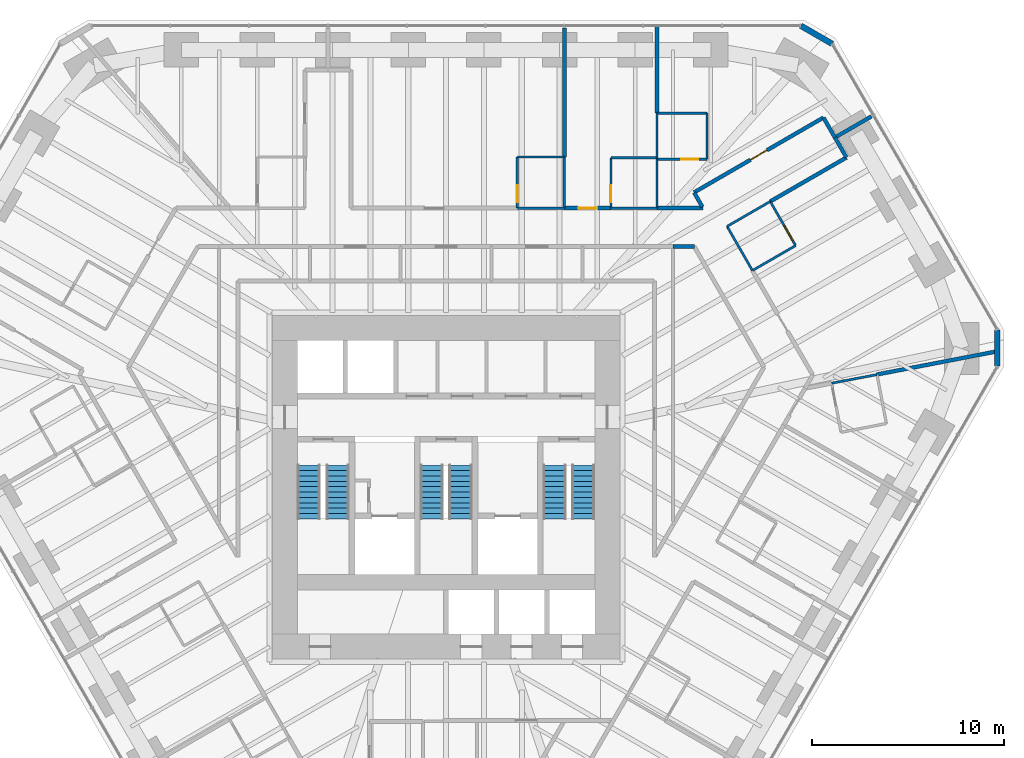
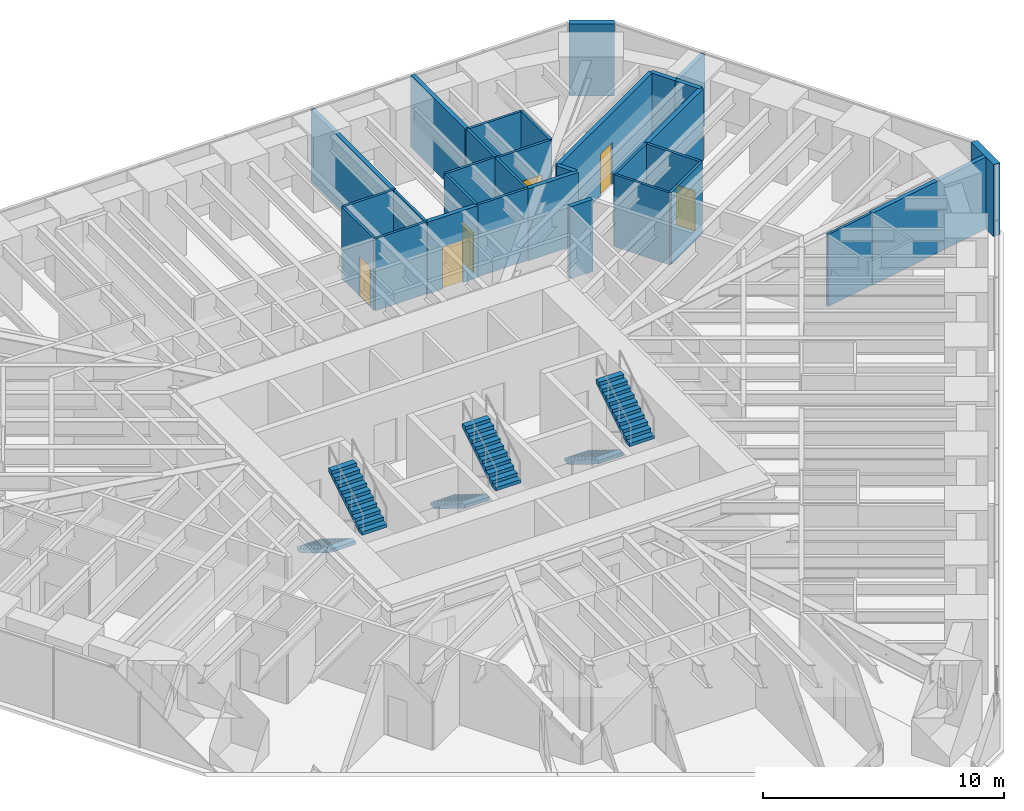
# One storey, part 15 of 16: 31 walls, 6 doors, 6 stair flights, 6 openings, 3 elements without a shape of their own.
"""IFC4 building model written with IfcOpenShell, lengths in metres."""

from ifc_helpers import new_model, si_unit, direction, frame, frame_2d, origin, place, context, subcontext, project, spatial, polyline, rectangle, outline, extrude, material, layer, layer_set, type_object, element, fill, aggregate, save


model = new_model("IFC4")

# Units and contexts
model_context = context("Model", 3, precision=1e-05, world=origin(), true_north=direction((0.0, 1.0)))
body_context = subcontext(model_context, "Body", "Model", "MODEL_VIEW")
ifc_project = project(units=[si_unit("LENGTHUNIT", "METRE"), si_unit("AREAUNIT", "SQUARE_METRE"), si_unit("VOLUMEUNIT", "CUBIC_METRE"), si_unit("PLANEANGLEUNIT", "RADIAN"), si_unit("MASSUNIT", "GRAM", prefix="KILO")], contexts=[model_context])

# Site, building, storey
site_placement = place(None, origin())
site = spatial("IfcSite", under=ifc_project, at=site_placement, CompositionType="ELEMENT")
building_placement = place(site_placement, origin())
building = spatial("IfcBuilding", under=site, at=building_placement, Name="Sandreach Pilgrim Tower", CompositionType="ELEMENT")
storey_placement = place(building_placement, frame((0.0, 0.0, 115.800048828125)))
storey = spatial("IfcBuildingStorey", under=building, at=storey_placement, Name="L28", CompositionType="ELEMENT", Elevation=115.800048828125)

# Wall, opening, door
ifc_material_1 = material(Name="Moisture-resistant gypsum board on steel studs", Category="steel")
ifc_layer_1 = layer(ifc_material_1, 0.1201171875)
ifc_layer_set_1 = layer_set([ifc_layer_1], Name="Bathroom partition 120")
wall_type_1 = type_object("IfcWallType", Name="Bathroom partition 120", PredefinedType="PARTITIONING", material=ifc_layer_set_1)
wall_1_placement = place(storey_placement, frame((3.7099609375, 15.659912109375, 0.0), z_axis=(0.0, 0.0, 1.0), x_axis=(0.0, -1.0, 0.0)))
wall_1 = element("IfcWall", 1, at=wall_1_placement, inside=storey, type_object=wall_type_1, Name="Bathroom partition L28-090", PredefinedType="PARTITIONING", context=body_context, shape_type="SweptSolid", body=[
    extrude(rectangle(XDim=2.669921875, YDim=0.1201171875, at=frame_2d((1.3349609375, 0.0))), origin(), (0.0, 0.0, 1.0), 3.639892578125),
])
opening_1_placement = place(wall_1_placement, frame((1.469970703125, 0.0, 0.0)))
opening_1 = element("IfcOpeningElement", 2, at=opening_1_placement, cuts=wall_1, Name="Opening D09-02B", PredefinedType="OPENING", context=body_context, shape_type="SweptSolid", body=[
    extrude(rectangle(XDim=0.89990234375, YDim=2.030029296875, at=frame_2d((0.449951171875, 1.01513671875))), frame((0.0, 0.06005859375, 0.0), z_axis=(0.0, -1.0, 0.0), x_axis=(1.0, 0.0, 0.0)), (0.0, 0.0, 1.0), 0.1201171875),
])
ifc_material_2 = material(Name="Timber door, steel frame", Category="steel")
door_type_1 = type_object("IfcDoorType", Name="Bathroom door", OperationType="SINGLE_SWING_LEFT", PredefinedType="DOOR", material=ifc_material_2)
door_1_placement = place(opening_1_placement, origin())
door_1 = element("IfcDoor", 3, at=door_1_placement, inside=storey, type_object=door_type_1, Name="Door 2802B", OperationType="SINGLE_SWING_RIGHT", OverallHeight=2.030029296875, OverallWidth=0.89990234375, PredefinedType="DOOR", context=body_context, shape_type="SweptSolid", body=[
    extrude(rectangle(XDim=0.89990234375, YDim=2.030029296875, at=frame_2d((0.449951171875, 1.01513671875))), frame((0.0, 0.02490234375, 0.0), z_axis=(0.0, -1.0, 0.0), x_axis=(1.0, 0.0, 0.0)), (0.0, 0.0, 1.0), 0.050048828125),
])
fill(opening_1, door_1)

# Walls
for number, where, z_axis, x_axis, name in (
    (4, (6.159912109375, 12.989990234375, 0.0), (0.0, 0.0, 1.0), (-1.0, 0.0, 0.0), "Bathroom partition L28-098"),
    (5, (6.159912109375, 15.659912109375, 0.0), (0.0, 0.0, 1.0), (-1.0, 0.0, 0.0), "Bathroom partition L28-099"),
):
    element("IfcWall", number, at=place(storey_placement, frame(where, z_axis=z_axis, x_axis=x_axis)), inside=storey, type_object=wall_type_1, Name=name, PredefinedType="PARTITIONING", context=body_context, shape_type="SweptSolid", body=[
        extrude(rectangle(XDim=2.449951171875, YDim=0.1201171875, at=frame_2d((1.22509765625, 0.0))), origin(), (0.0, 0.0, 1.0), 3.639892578125),
    ])
wall_2_placement = place(storey_placement, frame((6.159912109375, 15.659912109375, 0.0), z_axis=(0.0, 0.0, 1.0), x_axis=(0.0, -1.0, 0.0)))
element("IfcWall", 6, at=wall_2_placement, inside=storey, type_object=wall_type_1, Name="Bathroom partition L28-100", PredefinedType="PARTITIONING", context=body_context, shape_type="SweptSolid", body=[
    extrude(rectangle(XDim=2.669921875, YDim=0.1201171875, at=frame_2d((1.3349609375, 0.0))), origin(), (0.0, 0.0, 1.0), 3.639892578125),
])

# Wall, opening, door
wall_3_placement = place(storey_placement, frame((8.590087890625, 15.610107421875, 0.0), z_axis=(0.0, 0.0, 1.0), x_axis=(0.0, -1.0, 0.0)))
wall_3 = element("IfcWall", 7, at=wall_3_placement, inside=storey, type_object=wall_type_1, Name="Bathroom partition L28-109", PredefinedType="PARTITIONING", context=body_context, shape_type="SweptSolid", body=[
    extrude(rectangle(XDim=2.6201171875, YDim=0.1201171875, at=frame_2d((1.31005859375, 0.0))), origin(), (0.0, 0.0, 1.0), 3.639892578125),
])
opening_2_placement = place(wall_3_placement, frame((1.419921875, 0.0, 0.0)))
opening_2 = element("IfcOpeningElement", 8, at=opening_2_placement, cuts=wall_3, Name="Opening D09-03B", PredefinedType="OPENING", context=body_context, shape_type="SweptSolid", body=[
    extrude(rectangle(XDim=0.89990234375, YDim=2.030029296875, at=frame_2d((0.449951171875, 1.01513671875))), frame((0.0, 0.06005859375, 0.0), z_axis=(0.0, -1.0, 0.0), x_axis=(1.0, 0.0, 0.0)), (0.0, 0.0, 1.0), 0.1201171875),
])
door_2_placement = place(opening_2_placement, origin())
door_2 = element("IfcDoor", 9, at=door_2_placement, inside=storey, type_object=door_type_1, Name="Door 2803B", OperationType="SINGLE_SWING_RIGHT", OverallHeight=2.030029296875, OverallWidth=0.89990234375, PredefinedType="DOOR", context=body_context, shape_type="SweptSolid", body=[
    extrude(rectangle(XDim=0.89990234375, YDim=2.030029296875, at=frame_2d((0.449951171875, 1.01513671875))), frame((0.0, 0.02490234375, 0.0), z_axis=(0.0, -1.0, 0.0), x_axis=(1.0, 0.0, 0.0)), (0.0, 0.0, 1.0), 0.050048828125),
])
fill(opening_2, door_2)

# Walls
wall_4_placement = place(storey_placement, frame((10.989990234375, 12.989990234375, 0.0), z_axis=(0.0, 0.0, 1.0), x_axis=(-1.0, 0.0, 0.0)))
element("IfcWall", 10, at=wall_4_placement, inside=storey, type_object=wall_type_1, Name="Bathroom partition L28-116", PredefinedType="PARTITIONING", context=body_context, shape_type="SweptSolid", body=[
    extrude(rectangle(XDim=2.39990234375, YDim=0.1201171875, at=frame_2d((1.199951171875, 0.0))), origin(), (0.0, 0.0, 1.0), 3.639892578125),
])
wall_5_placement = place(storey_placement, frame((10.989990234375, 15.5400390625, 0.0), z_axis=(0.0, 0.0, 1.0), x_axis=(0.0, -1.0, 0.0)))
element("IfcWall", 11, at=wall_5_placement, inside=storey, type_object=wall_type_1, Name="Bathroom partition L28-117", PredefinedType="PARTITIONING", context=body_context, shape_type="SweptSolid", body=[
    extrude(rectangle(XDim=2.550048828125, YDim=0.1201171875, at=frame_2d((1.27490234375, 0.0))), origin(), (0.0, 0.0, 1.0), 3.639892578125),
])

# Wall, opening, door
wall_6_placement = place(storey_placement, frame((10.989990234375, 15.5400390625, 0.0), z_axis=(0.0, 0.0, 1.0), x_axis=(1.0, 0.0, 0.0)))
wall_6 = element("IfcWall", 12, at=wall_6_placement, inside=storey, type_object=wall_type_1, Name="Bathroom partition L28-118", PredefinedType="PARTITIONING", context=body_context, shape_type="SweptSolid", body=[
    extrude(rectangle(XDim=2.60009765625, YDim=0.1201171875, at=frame_2d((1.300048828125, 0.0))), origin(), (0.0, 0.0, 1.0), 3.639892578125),
])
opening_3_placement = place(wall_6_placement, frame((1.25, 0.0, 0.0)))
opening_3 = element("IfcOpeningElement", 13, at=opening_3_placement, cuts=wall_6, Name="Opening D09-04B", PredefinedType="OPENING", context=body_context, shape_type="SweptSolid", body=[
    extrude(rectangle(XDim=0.89990234375, YDim=2.030029296875, at=frame_2d((0.449951171875, 1.01513671875))), frame((0.0, 0.06005859375, 0.0), z_axis=(0.0, -1.0, 0.0), x_axis=(1.0, 0.0, 0.0)), (0.0, 0.0, 1.0), 0.1201171875),
])
door_3_placement = place(opening_3_placement, origin())
door_3 = element("IfcDoor", 14, at=door_3_placement, inside=storey, type_object=door_type_1, Name="Door 2804B", OperationType="SINGLE_SWING_RIGHT", OverallHeight=2.030029296875, OverallWidth=0.89990234375, PredefinedType="DOOR", context=body_context, shape_type="SweptSolid", body=[
    extrude(rectangle(XDim=0.89990234375, YDim=2.030029296875, at=frame_2d((0.449951171875, 1.01513671875))), frame((0.0, 0.02490234375, 0.0), z_axis=(0.0, -1.0, 0.0), x_axis=(1.0, 0.0, 0.0)), (0.0, 0.0, 1.0), 0.050048828125),
])
fill(opening_3, door_3)

# Walls
wall_7_placement = place(storey_placement, frame((10.989990234375, 15.610107421875, 0.0), z_axis=(0.0, 0.0, 1.0), x_axis=(-1.0, 0.0, 0.0)))
element("IfcWall", 15, at=wall_7_placement, inside=storey, type_object=wall_type_1, Name="Bathroom partition L28-119", PredefinedType="PARTITIONING", context=body_context, shape_type="SweptSolid", body=[
    extrude(rectangle(XDim=2.39990234375, YDim=0.1201171875, at=frame_2d((1.199951171875, 0.0))), origin(), (0.0, 0.0, 1.0), 3.639892578125),
])
wall_8_placement = place(storey_placement, frame((10.989990234375, 17.93994140625, 0.0), z_axis=(0.0, 0.0, 1.0), x_axis=(0.0, -1.0, 0.0)))
element("IfcWall", 16, at=wall_8_placement, inside=storey, type_object=wall_type_1, Name="Bathroom partition L28-120", PredefinedType="PARTITIONING", context=body_context, shape_type="SweptSolid", body=[
    extrude(rectangle(XDim=2.329833984375, YDim=0.1201171875, at=frame_2d((1.1650390625, 0.0))), origin(), (0.0, 0.0, 1.0), 3.639892578125),
])
wall_9_placement = place(storey_placement, frame((13.590087890625, 15.5400390625, 0.0), z_axis=(0.0, 0.0, 1.0), x_axis=(0.0, 1.0, 0.0)))
element("IfcWall", 17, at=wall_9_placement, inside=storey, type_object=wall_type_1, Name="Bathroom partition L28-132", PredefinedType="PARTITIONING", context=body_context, shape_type="SweptSolid", body=[
    extrude(rectangle(XDim=2.39990234375, YDim=0.1201171875, at=frame_2d((1.199951171875, 0.0))), origin(), (0.0, 0.0, 1.0), 3.639892578125),
])
wall_10_placement = place(storey_placement, frame((13.590087890625, 17.93994140625, 0.0), z_axis=(0.0, 0.0, 1.0), x_axis=(-1.0, 0.0, 0.0)))
element("IfcWall", 18, at=wall_10_placement, inside=storey, type_object=wall_type_1, Name="Bathroom partition L28-133", PredefinedType="PARTITIONING", context=body_context, shape_type="SweptSolid", body=[
    extrude(rectangle(XDim=2.60009765625, YDim=0.1201171875, at=frame_2d((1.300048828125, 0.0))), origin(), (0.0, 0.0, 1.0), 3.639892578125),
])
wall_11_placement = place(storey_placement, frame((14.639892578125, 12.0400390625, 0.0), z_axis=(0.0, 0.0, 1.0), x_axis=(0.497773911185, -0.867306827682, 0.0)))
element("IfcWall", 19, at=wall_11_placement, inside=storey, type_object=wall_type_1, Name="Bathroom partition L28-136", PredefinedType="PARTITIONING", context=body_context, shape_type="SweptSolid", body=[
    extrude(rectangle(XDim=2.65185546875, YDim=0.1201171875, at=frame_2d((1.325927734375, 0.0))), origin(), (0.0, 0.0, 1.0), 3.639892578125),
])
wall_12_placement = place(storey_placement, frame((14.639892578125, 12.0400390625, 0.0), z_axis=(0.0, 0.0, 1.0), x_axis=(0.865880446098, 0.50025099007, 0.0)))
element("IfcWall", 20, at=wall_12_placement, inside=storey, type_object=wall_type_1, Name="Bathroom partition L28-137", PredefinedType="PARTITIONING", context=body_context, shape_type="SweptSolid", body=[
    extrude(rectangle(XDim=2.598876953125, YDim=0.1201171875, at=frame_2d((1.29931640625, 0.0))), origin(), (0.0, 0.0, 1.0), 3.639892578125),
])
wall_13_placement = place(storey_placement, frame((15.9599609375, 9.739990234375, 0.0), z_axis=(0.0, 0.0, 1.0), x_axis=(0.865856933682, 0.500291685314, 0.0)))
element("IfcWall", 21, at=wall_13_placement, inside=storey, type_object=wall_type_1, Name="Bathroom partition L28-139", PredefinedType="PARTITIONING", context=body_context, shape_type="SweptSolid", body=[
    extrude(rectangle(XDim=2.5986328125, YDim=0.1201171875, at=frame_2d((1.29931640625, 0.0))), origin(), (0.0, 0.0, 1.0), 3.639892578125),
])

# Wall, opening, door
wall_14_placement = place(storey_placement, frame((18.2099609375, 11.0400390625, 0.0), z_axis=(0.0, 0.0, 1.0), x_axis=(-0.497773911185, 0.867306827682, 0.0)))
wall_14 = element("IfcWall", 22, at=wall_14_placement, inside=storey, type_object=wall_type_1, Name="Bathroom partition L28-147", PredefinedType="PARTITIONING", context=body_context, shape_type="SweptSolid", body=[
    extrude(rectangle(XDim=2.65185546875, YDim=0.1201171875, at=frame_2d((1.325927734375, 0.0))), origin(), (0.0, 0.0, 1.0), 3.639892578125),
])
opening_4_placement = place(wall_14_placement, frame((0.300048828125, 0.0, 0.0)))
opening_4 = element("IfcOpeningElement", 23, at=opening_4_placement, cuts=wall_14, Name="Opening D09-05B", PredefinedType="OPENING", context=body_context, shape_type="SweptSolid", body=[
    extrude(rectangle(XDim=0.89990234375, YDim=2.030029296875, at=frame_2d((0.449951171875, 1.01513671875))), frame((0.0, 0.06005859375, 0.0), z_axis=(0.0, -1.0, 0.0), x_axis=(1.0, 0.0, 0.0)), (0.0, 0.0, 1.0), 0.1201171875),
])
door_4_placement = place(opening_4_placement, origin())
door_4 = element("IfcDoor", 24, at=door_4_placement, inside=storey, type_object=door_type_1, Name="Door 2805B", OperationType="SINGLE_SWING_LEFT", OverallHeight=2.030029296875, OverallWidth=0.89990234375, PredefinedType="DOOR", context=body_context, shape_type="SweptSolid", body=[
    extrude(rectangle(XDim=0.89990234375, YDim=2.030029296875, at=frame_2d((0.449951171875, 1.01513671875))), frame((0.0, 0.02490234375, 0.0), z_axis=(0.0, -1.0, 0.0), x_axis=(1.0, 0.0, 0.0)), (0.0, 0.0, 1.0), 0.050048828125),
])
fill(opening_4, door_4)

# Wall
wall_15_placement = place(storey_placement, frame((20.090087890625, 3.8701171875, 0.0), z_axis=(0.0, 0.0, 1.0), x_axis=(0.982497428577, 0.18627614673, 0.0)))
element("IfcWall", 25, at=wall_15_placement, inside=storey, type_object=wall_type_1, Name="Bathroom partition L28-153", PredefinedType="PARTITIONING", context=body_context, shape_type="SweptSolid", body=[
    extrude(rectangle(XDim=2.40234375, YDim=0.1201171875, at=frame_2d((1.201171875, 0.0))), origin(), (0.0, 0.0, 1.0), 3.639892578125),
])

# Wall, opening, door
ifc_material_3 = material(Name="Gypsum board on steel studs, two layers each side", Category="steel")
ifc_layer_2 = layer(ifc_material_3, 0.199951171875)
ifc_layer_set_2 = layer_set([ifc_layer_2], Name="Corridor wall 200")
wall_type_2 = type_object("IfcWallType", Name="Corridor wall 200", PredefinedType="PARTITIONING", material=ifc_layer_set_2)
wall_16_placement = place(storey_placement, frame((8.590087890625, 12.989990234375, 0.0), z_axis=(0.0, 0.0, 1.0), x_axis=(-1.0, 0.0, 0.0)))
wall_16 = element("IfcWall", 26, at=wall_16_placement, inside=storey, type_object=wall_type_2, Name="Corridor wall L28-108", PredefinedType="PARTITIONING", context=body_context, shape_type="SweptSolid", body=[
    extrude(rectangle(XDim=2.43017578125, YDim=0.199951171875, at=frame_2d((1.215087890625, 0.0))), origin(), (0.0, 0.0, 1.0), 3.639892578125),
])
opening_5_placement = place(wall_16_placement, frame((0.715087890625, 0.0, 0.0)))
opening_5 = element("IfcOpeningElement", 27, at=opening_5_placement, cuts=wall_16, Name="Opening D10-03", PredefinedType="OPENING", context=body_context, shape_type="SweptSolid", body=[
    extrude(rectangle(XDim=1.0, YDim=2.1298828125, at=frame_2d((0.5, 1.06494140625))), frame((0.0, 0.10009765625, 0.0), z_axis=(0.0, -1.0, 0.0), x_axis=(1.0, 0.0, 0.0)), (0.0, 0.0, 1.0), 0.199951171875),
])
ifc_material_4 = material(Name="Steel door and frame", Category="steel")
door_type_2 = type_object("IfcDoorType", Name="Guest room entry door", OperationType="SINGLE_SWING_LEFT", PredefinedType="DOOR", material=ifc_material_4)
door_5_placement = place(opening_5_placement, origin())
door_5 = element("IfcDoor", 28, at=door_5_placement, inside=storey, type_object=door_type_2, Name="Door 2803", OperationType="SINGLE_SWING_LEFT", OverallHeight=2.1298828125, OverallWidth=1.0, PredefinedType="DOOR", context=body_context, shape_type="SweptSolid", body=[
    extrude(rectangle(XDim=1.0, YDim=2.1298828125, at=frame_2d((0.5, 1.06494140625))), frame((0.0, 0.02490234375, 0.0), z_axis=(0.0, -1.0, 0.0), x_axis=(1.0, 0.0, 0.0)), (0.0, 0.0, 1.0), 0.050048828125),
])
fill(opening_5, door_5)

# Walls
wall_17_placement = place(storey_placement, frame((11.830078125, 10.989990234375, 0.0), z_axis=(0.0, 0.0, 1.0), x_axis=(1.0, 0.0, 0.0)))
element("IfcWall", 29, at=wall_17_placement, inside=storey, type_object=wall_type_2, Name="Corridor wall L28-126", PredefinedType="PARTITIONING", context=body_context, shape_type="SweptSolid", body=[
    extrude(rectangle(XDim=1.099853515625, YDim=0.199951171875, at=frame_2d((0.5498046875, 0.0))), origin(), (0.0, 0.0, 1.0), 3.639892578125),
])
wall_18_placement = place(storey_placement, frame((12.925048828125, 13.80126953125, 0.0), z_axis=(0.0, 0.0, 1.0), x_axis=(0.497361322706, -0.8675434944, 0.0)))
element("IfcWall", 30, at=wall_18_placement, inside=storey, type_object=wall_type_2, Name="Corridor wall L28-129", PredefinedType="PARTITIONING", context=body_context, shape_type="SweptSolid", body=[
    extrude(rectangle(XDim=0.860107421875, YDim=0.199951171875, at=frame_2d((0.43017578125, 0.0))), origin(), (0.0, 0.0, 1.0), 3.639892578125),
])
wall_19_placement = place(storey_placement, frame((13.389892578125, 12.989990234375, 0.0), z_axis=(0.0, 0.0, 1.0), x_axis=(-1.0, 0.0, 0.0)))
element("IfcWall", 31, at=wall_19_placement, inside=storey, type_object=wall_type_2, Name="Corridor wall L28-131", PredefinedType="PARTITIONING", context=body_context, shape_type="SweptSolid", body=[
    extrude(rectangle(XDim=2.39990234375, YDim=0.199951171875, at=frame_2d((1.199951171875, 0.0))), origin(), (0.0, 0.0, 1.0), 3.639892578125),
])
wall_20_placement = place(storey_placement, frame((16.889892578125, 13.340087890625, 0.0), z_axis=(0.0, 0.0, 1.0), x_axis=(0.86623967971, 0.499628679417, 0.0)))
element("IfcWall", 32, at=wall_20_placement, inside=storey, type_object=wall_type_2, Name="Corridor wall L28-144", PredefinedType="PARTITIONING", context=body_context, shape_type="SweptSolid", body=[
    extrude(rectangle(XDim=4.5830078125, YDim=0.199951171875, at=frame_2d((2.29150390625, 0.0))), origin(), (0.0, 0.0, 1.0), 3.639892578125),
])

# Wall, opening, door
wall_21_placement = place(storey_placement, frame((19.659912109375, 17.7099609375, 0.0), z_axis=(0.0, 0.0, 1.0), x_axis=(-0.865548612503, -0.500824918902, 0.0)))
wall_21 = element("IfcWall", 33, at=wall_21_placement, inside=storey, type_object=wall_type_2, Name="Corridor wall L28-150", PredefinedType="PARTITIONING", context=body_context, shape_type="SweptSolid", body=[
    extrude(rectangle(XDim=7.786865234375, YDim=0.199951171875, at=frame_2d((3.8935546875, 0.0))), origin(), (0.0, 0.0, 1.0), 3.639892578125),
])
opening_6_placement = place(wall_21_placement, frame((3.3935546875, 0.0, 0.0)))
opening_6 = element("IfcOpeningElement", 34, at=opening_6_placement, cuts=wall_21, Name="Opening D10-04", PredefinedType="OPENING", context=body_context, shape_type="SweptSolid", body=[
    extrude(rectangle(XDim=1.0, YDim=2.1298828125, at=frame_2d((0.5, 1.06494140625))), frame((0.0, 0.10009765625, 0.0), z_axis=(0.0, -1.0, 0.0), x_axis=(1.0, 0.0, 0.0)), (0.0, 0.0, 1.0), 0.199951171875),
])
door_6_placement = place(opening_6_placement, origin())
door_6 = element("IfcDoor", 35, at=door_6_placement, inside=storey, type_object=door_type_2, Name="Door 2804", OperationType="SINGLE_SWING_LEFT", OverallHeight=2.1298828125, OverallWidth=1.0, PredefinedType="DOOR", context=body_context, shape_type="SweptSolid", body=[
    extrude(rectangle(XDim=1.0, YDim=2.1298828125, at=frame_2d((0.5, 1.06494140625))), frame((0.0, 0.02490234375, 0.0), z_axis=(0.0, -1.0, 0.0), x_axis=(1.0, 0.0, 0.0)), (0.0, 0.0, 1.0), 0.050048828125),
])
fill(opening_6, door_6)

# Walls
wall_22_placement = place(storey_placement, frame((19.66748046875, 17.697021484375, 0.0), z_axis=(0.0, 0.0, 1.0), x_axis=(0.499704629046, -0.866195869137, 0.0)))
element("IfcWall", 36, at=wall_22_placement, inside=storey, type_object=wall_type_2, Name="Corridor wall L28-151", PredefinedType="PARTITIONING", context=body_context, shape_type="SweptSolid", body=[
    extrude(rectangle(XDim=1.185791015625, YDim=0.199951171875, at=frame_2d((0.5927734375, 0.0))), origin(), (0.0, 0.0, 1.0), 3.639892578125),
])
wall_23_placement = place(storey_placement, frame((20.260009765625, 16.669921875, 0.0), z_axis=(0.0, 0.0, 1.0), x_axis=(0.499734288277, -0.866178758179, 0.0)))
element("IfcWall", 37, at=wall_23_placement, inside=storey, type_object=wall_type_2, Name="Corridor wall L28-154", PredefinedType="PARTITIONING", context=body_context, shape_type="SweptSolid", body=[
    extrude(rectangle(XDim=1.190673828125, YDim=0.199951171875, at=frame_2d((0.59521484375, 0.0))), origin(), (0.0, 0.0, 1.0), 3.639892578125),
])
ifc_material_5 = material(Name="Double steel stud acoustic wall, gypsum board", Category="steel")
ifc_layer_3 = layer(ifc_material_5, 0.199951171875)
ifc_layer_set_3 = layer_set([ifc_layer_3], Name="Party wall 200")
wall_type_3 = type_object("IfcWallType", Name="Party wall 200", PredefinedType="PARTITIONING", material=ifc_layer_set_3)
wall_24_placement = place(storey_placement, frame((6.159912109375, 22.3701171875, 0.0), z_axis=(0.0, 0.0, 1.0), x_axis=(0.0, -1.0, 0.0)))
element("IfcWall", 38, at=wall_24_placement, inside=storey, type_object=wall_type_3, Name="Party wall L28-101", PredefinedType="PARTITIONING", context=body_context, shape_type="SweptSolid", body=[
    extrude(rectangle(XDim=6.710205078125, YDim=0.199951171875, at=frame_2d((3.35498046875, 0.0))), origin(), (0.0, 0.0, 1.0), 3.639892578125),
])
wall_25_placement = place(storey_placement, frame((10.989990234375, 22.4599609375, 0.0), z_axis=(0.0, 0.0, 1.0), x_axis=(0.0, -1.0, 0.0)))
element("IfcWall", 39, at=wall_25_placement, inside=storey, type_object=wall_type_3, Name="Party wall L28-121", PredefinedType="PARTITIONING", context=body_context, shape_type="SweptSolid", body=[
    extrude(rectangle(XDim=4.52001953125, YDim=0.199951171875, at=frame_2d((2.260009765625, 0.0))), origin(), (0.0, 0.0, 1.0), 3.639892578125),
])
wall_26_placement = place(storey_placement, frame((22.15625, 17.769775390625, 0.0), z_axis=(0.0, 0.0, 1.0), x_axis=(-0.865037029405, -0.501708020425, 0.0)))
element("IfcWall", 40, at=wall_26_placement, inside=storey, type_object=wall_type_3, Name="Party wall L28-156", PredefinedType="PARTITIONING", context=body_context, shape_type="SweptSolid", body=[
    extrude(rectangle(XDim=2.17724609375, YDim=0.199951171875, at=frame_2d((1.088623046875, 0.0))), origin(), (0.0, 0.0, 1.0), 3.639892578125),
])
wall_27_placement = place(storey_placement, frame((22.44921875, 4.32421875, 0.0), z_axis=(0.0, 0.0, 1.0), x_axis=(0.981996388644, 0.188899689492, 0.0)))
element("IfcWall", 41, at=wall_27_placement, inside=storey, type_object=wall_type_3, Name="Party wall L28-157", PredefinedType="PARTITIONING", context=body_context, shape_type="SweptSolid", body=[
    extrude(rectangle(XDim=6.406494140625, YDim=0.199951171875, at=frame_2d((3.203125, 0.0))), origin(), (0.0, 0.0, 1.0), 3.639892578125),
])
ifc_material_6 = material(Name="Terracotta rainscreen on concrete", Category="masonry")
ifc_layer_4 = layer(ifc_material_6, 0.300048828125)
ifc_layer_set_4 = layer_set([ifc_layer_4], Name="Terracotta chamfer pier")
wall_type_4 = type_object("IfcWallType", Name="Terracotta chamfer pier", PredefinedType="SOLIDWALL", material=ifc_layer_set_4)
wall_28_placement = place(storey_placement, frame((18.4814453125, 22.493896484375, 0.0), z_axis=(0.0, 0.0, 1.0), x_axis=(0.865988793993, -0.500063404658, 0.0)))
element("IfcWall", 42, at=wall_28_placement, inside=storey, type_object=wall_type_4, Name="Chamfer pier L28 N", PredefinedType="SOLIDWALL", context=body_context, shape_type="SweptSolid", body=[
    extrude(rectangle(XDim=1.880126953125, YDim=0.300048828125, at=frame_2d((0.93994140625, 0.0))), origin(), (0.0, 0.0, 1.0), 3.639892578125),
])
wall_29_placement = place(storey_placement, frame((28.720947265625, 6.638427734375, 0.0), z_axis=(0.0, 0.0, 1.0), x_axis=(0.0, -1.0, 0.0)))
element("IfcWall", 43, at=wall_29_placement, inside=storey, type_object=wall_type_4, Name="Chamfer pier L28 NE", PredefinedType="SOLIDWALL", context=body_context, shape_type="SweptSolid", body=[
    extrude(rectangle(XDim=1.8798828125, YDim=0.300048828125, at=frame_2d((0.93994140625, 0.0))), origin(), (0.0, 0.0, 1.0), 3.639892578125),
])

# Stair, stair flights
ifc_material_7 = material(Name="Concrete 8000 psi", Category="concrete")
stair_type = type_object("IfcStairType", Name="Core exit stair", PredefinedType="HALF_TURN_STAIR", material=ifc_material_7)
stair_1_placement = place(storey_placement, origin())
stair_1 = element("IfcStair", 44, at=stair_1_placement, inside=storey, type_object=stair_type, Name="Exit stair ST1 L28", PredefinedType="HALF_TURN_STAIR")
ifc_material_8 = material(Name="Concrete 8000 psi", Category="concrete")
stair_flight_type = type_object("IfcStairFlightType", Name="Core stair flight 1200", PredefinedType="STRAIGHT", material=ifc_material_8)
stair_flight_1_placement = place(storey_placement, frame((-7.14990234375, -0.39990234375, 0.0), z_axis=(0.0, 0.0, 1.0), x_axis=(0.0, -1.0, 0.0)))
stair_flight_1 = element("IfcStairFlight", 45, at=stair_flight_1_placement, type_object=stair_flight_type, Name="ST1 flight 1", NumberOfRisers=11, NumberOfTreads=10, PredefinedType="STRAIGHT", RiserHeight=0.172727273, TreadLength=0.28, context=body_context, shape_type="SweptSolid", body=[
    extrude(outline(polyline([(0.0, 0.0), (0.0, 0.172607421875), (0.280029296875, 0.172607421875), (0.280029296875, 0.345458984375), (0.56005859375, 0.345458984375), (0.56005859375, 0.51806640625), (0.840087890625, 0.51806640625), (0.840087890625, 0.69091796875), (1.1201171875, 0.69091796875), (1.1201171875, 0.863525390625), (1.39990234375, 0.863525390625), (1.39990234375, 1.036376953125), (1.679931640625, 1.036376953125), (1.679931640625, 1.208984375), (1.9599609375, 1.208984375), (1.9599609375, 1.3818359375), (2.239990234375, 1.3818359375), (2.239990234375, 1.554443359375), (2.52001953125, 1.554443359375), (2.52001953125, 1.727294921875), (2.800048828125, 1.727294921875), (2.800048828125, 1.89990234375), (2.800048828125, 1.551025390625), (0.285400390625, 0.0), (0.0, 0.0)])), frame((0.0, 0.60009765625, 0.0), z_axis=(0.0, -1.0, 0.0), x_axis=(1.0, 0.0, 0.0)), (0.0, 0.0, 1.0), 1.199951171875),
])
stair_flight_2_placement = place(storey_placement, frame((-5.64990234375, -3.199951171875, 1.89990234375), z_axis=(0.0, 0.0, 1.0), x_axis=(0.0, 1.0, 0.0)))
stair_flight_2 = element("IfcStairFlight", 46, at=stair_flight_2_placement, type_object=stair_flight_type, Name="ST1 flight 2", NumberOfRisers=11, NumberOfTreads=10, PredefinedType="STRAIGHT", RiserHeight=0.172727273, TreadLength=0.28, context=body_context, shape_type="SweptSolid", body=[
    extrude(outline(polyline([(0.0, 0.0), (0.0, 0.172607421875), (0.280029296875, 0.172607421875), (0.280029296875, 0.345458984375), (0.56005859375, 0.345458984375), (0.56005859375, 0.51806640625), (0.840087890625, 0.51806640625), (0.840087890625, 0.69091796875), (1.1201171875, 0.69091796875), (1.1201171875, 0.863525390625), (1.39990234375, 0.863525390625), (1.39990234375, 1.036376953125), (1.679931640625, 1.036376953125), (1.679931640625, 1.208984375), (1.9599609375, 1.208984375), (1.9599609375, 1.3818359375), (2.239990234375, 1.3818359375), (2.239990234375, 1.554443359375), (2.52001953125, 1.554443359375), (2.52001953125, 1.727294921875), (2.800048828125, 1.727294921875), (2.800048828125, 1.89990234375), (2.800048828125, 1.551025390625), (0.285400390625, 0.0), (0.0, 0.0)])), frame((0.0, 0.60009765625, 0.0), z_axis=(0.0, -1.0, 0.0), x_axis=(1.0, 0.0, 0.0)), (0.0, 0.0, 1.0), 1.199951171875),
])
aggregate(stair_1, [stair_flight_1, stair_flight_2])

stair_2_placement = place(storey_placement, origin())
stair_2 = element("IfcStair", 47, at=stair_2_placement, inside=storey, type_object=stair_type, Name="Exit stair ST3 L28", PredefinedType="HALF_TURN_STAIR")
stair_flight_3_placement = place(storey_placement, frame((-0.75, -0.39990234375, 0.0), z_axis=(0.0, 0.0, 1.0), x_axis=(0.0, -1.0, 0.0)))
stair_flight_3 = element("IfcStairFlight", 48, at=stair_flight_3_placement, type_object=stair_flight_type, Name="ST3 flight 1", NumberOfRisers=11, NumberOfTreads=10, PredefinedType="STRAIGHT", RiserHeight=0.172727273, TreadLength=0.28, context=body_context, shape_type="SweptSolid", body=[
    extrude(outline(polyline([(0.0, 0.0), (0.0, 0.172607421875), (0.280029296875, 0.172607421875), (0.280029296875, 0.345458984375), (0.56005859375, 0.345458984375), (0.56005859375, 0.51806640625), (0.840087890625, 0.51806640625), (0.840087890625, 0.69091796875), (1.1201171875, 0.69091796875), (1.1201171875, 0.863525390625), (1.39990234375, 0.863525390625), (1.39990234375, 1.036376953125), (1.679931640625, 1.036376953125), (1.679931640625, 1.208984375), (1.9599609375, 1.208984375), (1.9599609375, 1.3818359375), (2.239990234375, 1.3818359375), (2.239990234375, 1.554443359375), (2.52001953125, 1.554443359375), (2.52001953125, 1.727294921875), (2.800048828125, 1.727294921875), (2.800048828125, 1.89990234375), (2.800048828125, 1.551025390625), (0.285400390625, 0.0), (0.0, 0.0)])), frame((0.0, 0.60009765625, 0.0), z_axis=(0.0, -1.0, 0.0), x_axis=(1.0, 0.0, 0.0)), (0.0, 0.0, 1.0), 1.199951171875),
])
stair_flight_4_placement = place(storey_placement, frame((0.75, -3.199951171875, 1.89990234375), z_axis=(0.0, 0.0, 1.0), x_axis=(0.0, 1.0, 0.0)))
stair_flight_4 = element("IfcStairFlight", 49, at=stair_flight_4_placement, type_object=stair_flight_type, Name="ST3 flight 2", NumberOfRisers=11, NumberOfTreads=10, PredefinedType="STRAIGHT", RiserHeight=0.172727273, TreadLength=0.28, context=body_context, shape_type="SweptSolid", body=[
    extrude(outline(polyline([(0.0, 0.0), (0.0, 0.172607421875), (0.280029296875, 0.172607421875), (0.280029296875, 0.345458984375), (0.56005859375, 0.345458984375), (0.56005859375, 0.51806640625), (0.840087890625, 0.51806640625), (0.840087890625, 0.69091796875), (1.1201171875, 0.69091796875), (1.1201171875, 0.863525390625), (1.39990234375, 0.863525390625), (1.39990234375, 1.036376953125), (1.679931640625, 1.036376953125), (1.679931640625, 1.208984375), (1.9599609375, 1.208984375), (1.9599609375, 1.3818359375), (2.239990234375, 1.3818359375), (2.239990234375, 1.554443359375), (2.52001953125, 1.554443359375), (2.52001953125, 1.727294921875), (2.800048828125, 1.727294921875), (2.800048828125, 1.89990234375), (2.800048828125, 1.551025390625), (0.285400390625, 0.0), (0.0, 0.0)])), frame((0.0, 0.60009765625, 0.0), z_axis=(0.0, -1.0, 0.0), x_axis=(1.0, 0.0, 0.0)), (0.0, 0.0, 1.0), 1.199951171875),
])
aggregate(stair_2, [stair_flight_3, stair_flight_4])

stair_3_placement = place(storey_placement, origin())
stair_3 = element("IfcStair", 50, at=stair_3_placement, inside=storey, type_object=stair_type, Name="Exit stair ST2 L28", PredefinedType="HALF_TURN_STAIR")
stair_flight_5_placement = place(storey_placement, frame((5.64990234375, -0.39990234375, 0.0), z_axis=(0.0, 0.0, 1.0), x_axis=(0.0, -1.0, 0.0)))
stair_flight_5 = element("IfcStairFlight", 51, at=stair_flight_5_placement, type_object=stair_flight_type, Name="ST2 flight 1", NumberOfRisers=11, NumberOfTreads=10, PredefinedType="STRAIGHT", RiserHeight=0.172727273, TreadLength=0.28, context=body_context, shape_type="SweptSolid", body=[
    extrude(outline(polyline([(0.0, 0.0), (0.0, 0.172607421875), (0.280029296875, 0.172607421875), (0.280029296875, 0.345458984375), (0.56005859375, 0.345458984375), (0.56005859375, 0.51806640625), (0.840087890625, 0.51806640625), (0.840087890625, 0.69091796875), (1.1201171875, 0.69091796875), (1.1201171875, 0.863525390625), (1.39990234375, 0.863525390625), (1.39990234375, 1.036376953125), (1.679931640625, 1.036376953125), (1.679931640625, 1.208984375), (1.9599609375, 1.208984375), (1.9599609375, 1.3818359375), (2.239990234375, 1.3818359375), (2.239990234375, 1.554443359375), (2.52001953125, 1.554443359375), (2.52001953125, 1.727294921875), (2.800048828125, 1.727294921875), (2.800048828125, 1.89990234375), (2.800048828125, 1.551025390625), (0.285400390625, 0.0), (0.0, 0.0)])), frame((0.0, 0.60009765625, 0.0), z_axis=(0.0, -1.0, 0.0), x_axis=(1.0, 0.0, 0.0)), (0.0, 0.0, 1.0), 1.199951171875),
])
stair_flight_6_placement = place(storey_placement, frame((7.14990234375, -3.199951171875, 1.89990234375), z_axis=(0.0, 0.0, 1.0), x_axis=(0.0, 1.0, 0.0)))
stair_flight_6 = element("IfcStairFlight", 52, at=stair_flight_6_placement, type_object=stair_flight_type, Name="ST2 flight 2", NumberOfRisers=11, NumberOfTreads=10, PredefinedType="STRAIGHT", RiserHeight=0.172727273, TreadLength=0.28, context=body_context, shape_type="SweptSolid", body=[
    extrude(outline(polyline([(0.0, 0.0), (0.0, 0.172607421875), (0.280029296875, 0.172607421875), (0.280029296875, 0.345458984375), (0.56005859375, 0.345458984375), (0.56005859375, 0.51806640625), (0.840087890625, 0.51806640625), (0.840087890625, 0.69091796875), (1.1201171875, 0.69091796875), (1.1201171875, 0.863525390625), (1.39990234375, 0.863525390625), (1.39990234375, 1.036376953125), (1.679931640625, 1.036376953125), (1.679931640625, 1.208984375), (1.9599609375, 1.208984375), (1.9599609375, 1.3818359375), (2.239990234375, 1.3818359375), (2.239990234375, 1.554443359375), (2.52001953125, 1.554443359375), (2.52001953125, 1.727294921875), (2.800048828125, 1.727294921875), (2.800048828125, 1.89990234375), (2.800048828125, 1.551025390625), (0.285400390625, 0.0), (0.0, 0.0)])), frame((0.0, 0.60009765625, 0.0), z_axis=(0.0, -1.0, 0.0), x_axis=(1.0, 0.0, 0.0)), (0.0, 0.0, 1.0), 1.199951171875),
])
aggregate(stair_3, [stair_flight_5, stair_flight_6])

save(model, "model.ifc")
